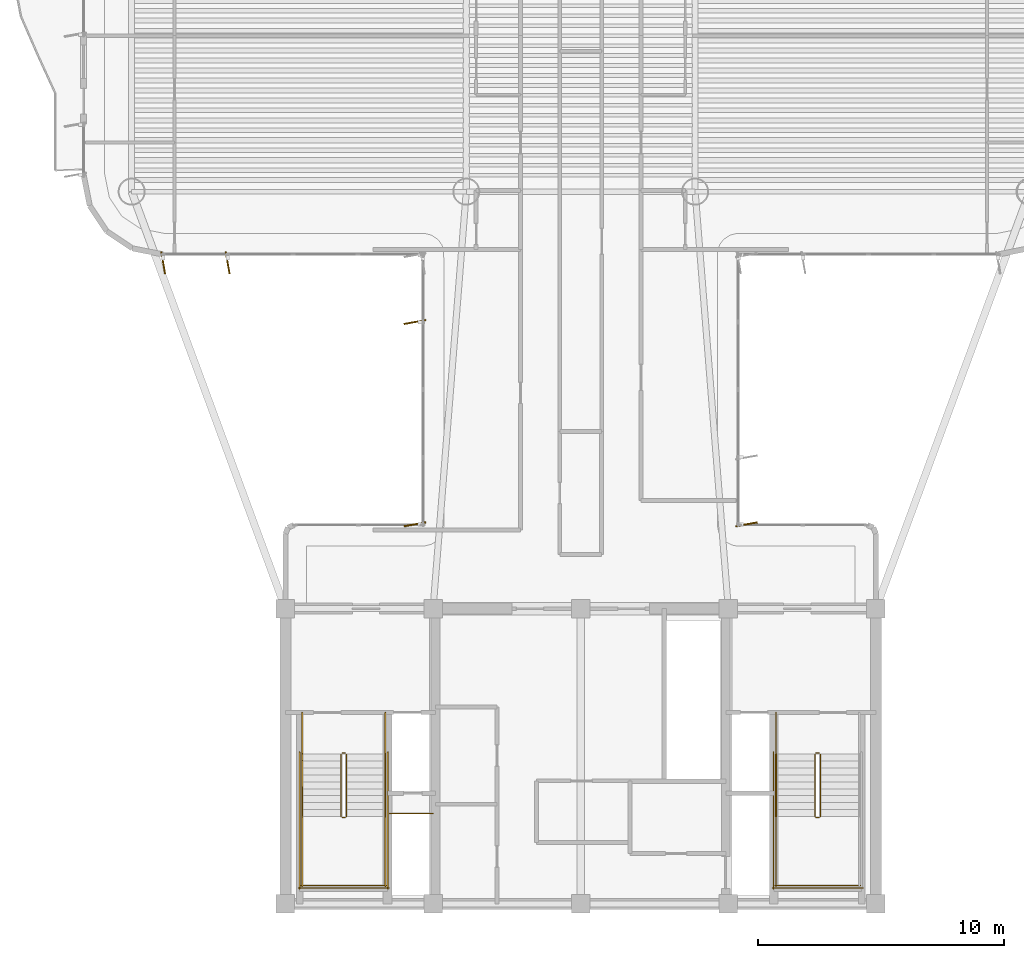
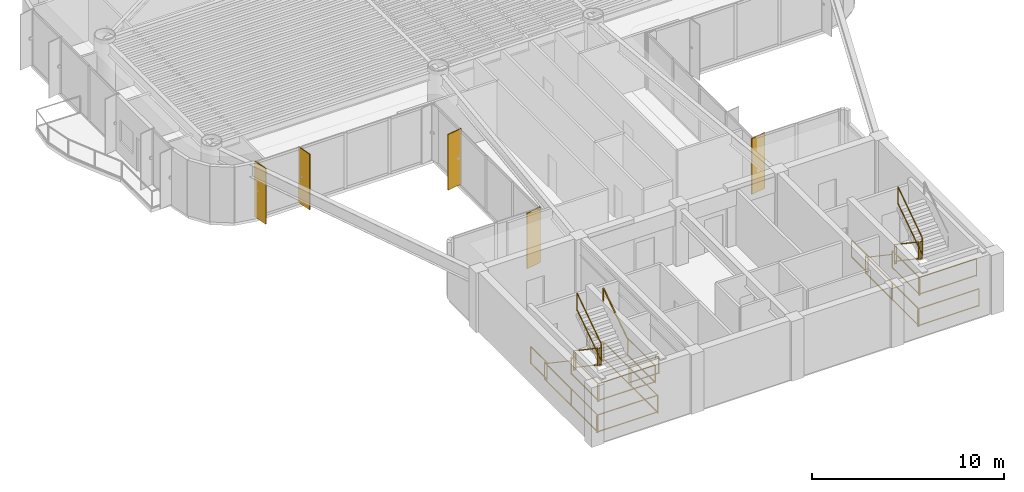
# One storey, part 14 of 15: 25 railings, 5 shading devices.
"""IFC4 building model written with IfcOpenShell, lengths in metres."""

from ifc_helpers import new_model, si_unit, direction, frame, origin, origin_2d, place, context, subcontext, project, spatial, rectangle, extrude, source, transform, mapped, material, layer, layer_set, material_profile, profile_set, type_object, element, save


model = new_model("IFC4")

# Units and contexts
model_context = context("Model", 3, precision=1e-05, world=origin(), true_north=direction((0.0, 1.0)))
body_context = subcontext(model_context, "Body", "Model", "MODEL_VIEW")
ifc_project = project(units=[si_unit("LENGTHUNIT", "METRE"), si_unit("AREAUNIT", "SQUARE_METRE"), si_unit("VOLUMEUNIT", "CUBIC_METRE"), si_unit("PLANEANGLEUNIT", "RADIAN"), si_unit("MASSUNIT", "GRAM", prefix="KILO")], contexts=[model_context])

# Site, building, storey
site_placement = place(None, origin())
site = spatial("IfcSite", under=ifc_project, at=site_placement, CompositionType="ELEMENT")
building_placement = place(site_placement, origin())
building = spatial("IfcBuilding", under=site, at=building_placement, Name="Brelvock Crest Care Tower", CompositionType="ELEMENT")
storey_placement = place(building_placement, frame((0.0, 0.0, 163.97998046875)))
storey = spatial("IfcBuildingStorey", under=building, at=storey_placement, Name="L41", CompositionType="ELEMENT", Elevation=163.97998046875)

# Railings
ifc_material_1 = material(Name="Steel Grade 350", Category="steel")
ifc_layer_1 = layer(ifc_material_1, 0.050048828125, Name="RL-STG1")
ifc_layer_set_1 = layer_set([ifc_layer_1], Name="Steel Grade 350")
railing_type_1 = type_object("IfcRailingType", Name="RL-STG1", PredefinedType="GUARDRAIL", material=ifc_layer_set_1)
railing_1_placement = place(storey_placement, frame((26.260009765625, 12.080078125, 0.18896484375)))
element("IfcRailing", 1, at=railing_1_placement, inside=storey, type_object=railing_type_1, Name="L41 ST-1 stair guard 1", PredefinedType="GUARDRAIL", context=body_context, shape_type="SweptSolid", body=[
    extrude(rectangle(XDim=0.048095703125, YDim=0.048095703125, at=origin_2d()), frame((0.0, -0.001708984375, 1.116943359375), z_axis=(0.0, -0.82882447046, 0.559508710537), x_axis=(1.0, 0.0, 0.0)), (0.0, 0.0, 1.0), 3.036376953125),
    extrude(rectangle(XDim=0.048095703125, YDim=0.048095703125, at=origin_2d()), frame((0.0, -0.001708984375, 0.05615234375), z_axis=(0.0, -0.82882447046, 0.559508710537), x_axis=(1.0, 0.0, 0.0)), (0.0, 0.0, 1.0), 3.036376953125),
    extrude(rectangle(XDim=0.0419921875, YDim=0.0419921875, at=origin_2d()), origin(), (0.0, 0.0, 1.0), 1.08984375),
    extrude(rectangle(XDim=0.0419921875, YDim=0.0419921875, at=origin_2d()), frame((0.0, -2.52001953125, 1.701171875)), (0.0, 0.0, 1.0), 1.08984375),
])
railing_2_placement = place(storey_placement, frame((26.31005859375, 9.510009765625, 1.89013671875)))
element("IfcRailing", 2, at=railing_2_placement, inside=storey, type_object=railing_type_1, Name="L41 ST-1 stair guard 2", PredefinedType="GUARDRAIL", context=body_context, shape_type="SweptSolid", body=[
    extrude(rectangle(XDim=0.048095703125, YDim=0.048095703125, at=origin_2d()), frame((0.001953125, 0.0, 1.11572265625), z_axis=(1.0, 0.0, 0.0), x_axis=(0.0, 1.0, 0.0)), (0.0, 0.0, 1.0), 0.115966796875),
    extrude(rectangle(XDim=0.048095703125, YDim=0.048095703125, at=origin_2d()), frame((0.001953125, 0.0, 0.054931640625), z_axis=(1.0, 0.0, 0.0), x_axis=(0.0, 1.0, 0.0)), (0.0, 0.0, 1.0), 0.115966796875),
    extrude(rectangle(XDim=0.0419921875, YDim=0.0419921875, at=origin_2d()), origin(), (0.0, 0.0, 1.0), 1.08984375),
    extrude(rectangle(XDim=0.0419921875, YDim=0.0419921875, at=origin_2d()), frame((0.119873046875, 0.0, 0.0)), (0.0, 0.0, 1.0), 1.08984375),
])
for number, where, name in (
    (3, (24.679931640625, 9.56005859375, 1.89013671875), "L41 ST-1 stair guard 3"),
    (4, (28.06005859375, 9.56005859375, 1.89013671875), "L41 ST-1 stair guard 4"),
):
    element("IfcRailing", number, at=place(storey_placement, frame(where)), inside=storey, type_object=railing_type_1, Name=name, PredefinedType="GUARDRAIL", context=body_context, shape_type="SweptSolid", body=[
        extrude(rectangle(XDim=0.048095703125, YDim=0.048095703125, at=origin_2d()), frame((0.0, -0.001953125, 1.11572265625), z_axis=(0.0, -1.0, 0.0), x_axis=(1.0, 0.0, 0.0)), (0.0, 0.0, 1.0), 2.856201171875),
        extrude(rectangle(XDim=0.048095703125, YDim=0.048095703125, at=origin_2d()), frame((0.0, -0.001953125, 0.054931640625), z_axis=(0.0, -1.0, 0.0), x_axis=(1.0, 0.0, 0.0)), (0.0, 0.0, 1.0), 2.856201171875),
        extrude(rectangle(XDim=0.0419921875, YDim=0.0419921875, at=origin_2d()), origin(), (0.0, 0.0, 1.0), 1.08984375),
        extrude(rectangle(XDim=0.0419921875, YDim=0.0419921875, at=origin_2d()), frame((0.0, -2.860107421875, 0.0)), (0.0, 0.0, 1.0), 1.08984375),
    ])
railing_3_placement = place(storey_placement, frame((24.6298828125, 6.75, 1.89013671875)))
element("IfcRailing", 5, at=railing_3_placement, inside=storey, type_object=railing_type_1, Name="L41 ST-1 stair guard 5", PredefinedType="GUARDRAIL", context=body_context, shape_type="SweptSolid", body=[
    extrude(rectangle(XDim=0.048095703125, YDim=0.048095703125, at=origin_2d()), frame((0.001953125, 0.0, 1.11572265625), z_axis=(1.0, 0.0, 0.0), x_axis=(0.0, 1.0, 0.0)), (0.0, 0.0, 1.0), 3.476318359375),
    extrude(rectangle(XDim=0.048095703125, YDim=0.048095703125, at=origin_2d()), frame((0.001953125, 0.0, 0.054931640625), z_axis=(1.0, 0.0, 0.0), x_axis=(0.0, 1.0, 0.0)), (0.0, 0.0, 1.0), 3.476318359375),
    extrude(rectangle(XDim=0.0419921875, YDim=0.0419921875, at=origin_2d()), origin(), (0.0, 0.0, 1.0), 1.08984375),
    extrude(rectangle(XDim=0.0419921875, YDim=0.0419921875, at=origin_2d()), frame((3.480224609375, 0.0, 0.0)), (0.0, 0.0, 1.0), 1.08984375),
])
railing_4_placement = place(storey_placement, frame((26.47998046875, 9.56005859375, 2.0791015625)))
element("IfcRailing", 6, at=railing_4_placement, inside=storey, type_object=railing_type_1, Name="L41 ST-1 stair guard 6", PredefinedType="GUARDRAIL", context=body_context, shape_type="SweptSolid", body=[
    extrude(rectangle(XDim=0.048095703125, YDim=0.048095703125, at=origin_2d()), frame((0.0, 0.001708984375, 1.116943359375), z_axis=(0.0, 0.828861706735, 0.559453546873), x_axis=(-1.0, 0.0, 0.0)), (0.0, 0.0, 1.0), 3.036376953125),
    extrude(rectangle(XDim=0.048095703125, YDim=0.048095703125, at=origin_2d()), frame((0.0, 0.001708984375, 0.05615234375), z_axis=(0.0, 0.828861706735, 0.559453546873), x_axis=(-1.0, 0.0, 0.0)), (0.0, 0.0, 1.0), 3.036376953125),
    extrude(rectangle(XDim=0.0419921875, YDim=0.0419921875, at=origin_2d()), origin(), (0.0, 0.0, 1.0), 1.08984375),
    extrude(rectangle(XDim=0.0419921875, YDim=0.0419921875, at=origin_2d()), frame((0.0, 2.52001953125, 1.700927734375)), (0.0, 0.0, 1.0), 1.08984375),
])
railing_5_placement = place(storey_placement, frame((26.31005859375, 12.1298828125, 0.0)))
element("IfcRailing", 7, at=railing_5_placement, inside=storey, type_object=railing_type_1, Name="L41 ST-1 stair guard 7", PredefinedType="GUARDRAIL", context=body_context, shape_type="SweptSolid", body=[
    extrude(rectangle(XDim=0.048095703125, YDim=0.048095703125, at=origin_2d()), frame((0.001953125, 0.0, 1.11572265625), z_axis=(1.0, 0.0, 0.0), x_axis=(0.0, 1.0, 0.0)), (0.0, 0.0, 1.0), 0.115966796875),
    extrude(rectangle(XDim=0.048095703125, YDim=0.048095703125, at=origin_2d()), frame((0.001953125, 0.0, 0.054931640625), z_axis=(1.0, 0.0, 0.0), x_axis=(0.0, 1.0, 0.0)), (0.0, 0.0, 1.0), 0.115966796875),
    extrude(rectangle(XDim=0.0419921875, YDim=0.0419921875, at=origin_2d()), origin(), (0.0, 0.0, 1.0), 1.08984375),
    extrude(rectangle(XDim=0.0419921875, YDim=0.0419921875, at=origin_2d()), frame((0.119873046875, 0.0, 0.0)), (0.0, 0.0, 1.0), 1.08984375),
])
for number, where, name in (
    (8, (24.679931640625, 13.780029296875, 0.0), "L41 ST-1 stair guard 8"),
    (9, (28.06005859375, 13.780029296875, 0.0), "L41 ST-1 stair guard 9"),
):
    element("IfcRailing", number, at=place(storey_placement, frame(where)), inside=storey, type_object=railing_type_1, Name=name, PredefinedType="GUARDRAIL", context=body_context, shape_type="SweptSolid", body=[
        extrude(rectangle(XDim=0.048095703125, YDim=0.048095703125, at=origin_2d()), frame((0.0, -0.001953125, 1.11572265625), z_axis=(0.0, -1.0, 0.0), x_axis=(1.0, 0.0, 0.0)), (0.0, 0.0, 1.0), 1.696044921875),
        extrude(rectangle(XDim=0.048095703125, YDim=0.048095703125, at=origin_2d()), frame((0.0, -0.001953125, 0.054931640625), z_axis=(0.0, -1.0, 0.0), x_axis=(1.0, 0.0, 0.0)), (0.0, 0.0, 1.0), 1.696044921875),
        extrude(rectangle(XDim=0.0419921875, YDim=0.0419921875, at=origin_2d()), origin(), (0.0, 0.0, 1.0), 1.08984375),
        extrude(rectangle(XDim=0.0419921875, YDim=0.0419921875, at=origin_2d()), frame((0.0, -1.699951171875, 0.0)), (0.0, 0.0, 1.0), 1.08984375),
    ])
for number, where, name in (
    (10, (24.580078125, 12.179931640625, 0.0), "L41 ST-1 stair guard 10"),
    (11, (28.159912109375, 12.179931640625, 0.0), "L41 ST-1 stair guard 11"),
):
    element("IfcRailing", number, at=place(storey_placement, frame(where)), inside=storey, type_object=railing_type_1, Name=name, PredefinedType="GUARDRAIL", context=body_context, shape_type="SweptSolid", body=[
        extrude(rectangle(XDim=0.048095703125, YDim=0.048095703125, at=origin_2d()), frame((0.0, -0.001953125, 1.11572265625), z_axis=(0.0, -1.0, 0.0), x_axis=(1.0, 0.0, 0.0)), (0.0, 0.0, 1.0), 5.575927734375),
        extrude(rectangle(XDim=0.048095703125, YDim=0.048095703125, at=origin_2d()), frame((0.0, -0.001953125, 0.054931640625), z_axis=(0.0, -1.0, 0.0), x_axis=(1.0, 0.0, 0.0)), (0.0, 0.0, 1.0), 5.575927734375),
        extrude(rectangle(XDim=0.0419921875, YDim=0.0419921875, at=origin_2d()), origin(), (0.0, 0.0, 1.0), 1.08984375),
        extrude(rectangle(XDim=0.0419921875, YDim=0.0419921875, at=origin_2d()), frame((0.0, -2.7900390625, 0.0)), (0.0, 0.0, 1.0), 1.08984375),
        extrude(rectangle(XDim=0.0419921875, YDim=0.0419921875, at=origin_2d()), frame((0.0, -5.579833984375, 0.0)), (0.0, 0.0, 1.0), 1.08984375),
    ])
railing_6_placement = place(storey_placement, frame((24.530029296875, 6.64990234375, 0.0)))
element("IfcRailing", 12, at=railing_6_placement, inside=storey, type_object=railing_type_1, Name="L41 ST-1 stair guard 12", PredefinedType="GUARDRAIL", context=body_context, shape_type="SweptSolid", body=[
    extrude(rectangle(XDim=0.048095703125, YDim=0.048095703125, at=origin_2d()), frame((0.001953125, 0.0, 1.11572265625), z_axis=(1.0, 0.0, 0.0), x_axis=(0.0, 1.0, 0.0)), (0.0, 0.0, 1.0), 3.676025390625),
    extrude(rectangle(XDim=0.048095703125, YDim=0.048095703125, at=origin_2d()), frame((0.001953125, 0.0, 0.054931640625), z_axis=(1.0, 0.0, 0.0), x_axis=(0.0, 1.0, 0.0)), (0.0, 0.0, 1.0), 3.676025390625),
    extrude(rectangle(XDim=0.0419921875, YDim=0.0419921875, at=origin_2d()), origin(), (0.0, 0.0, 1.0), 1.08984375),
    extrude(rectangle(XDim=0.0419921875, YDim=0.0419921875, at=origin_2d()), frame((3.679931640625, 0.0, 0.0)), (0.0, 0.0, 1.0), 1.08984375),
])
railing_7_placement = place(storey_placement, frame((45.52001953125, 12.080078125, 0.18896484375)))
element("IfcRailing", 13, at=railing_7_placement, inside=storey, type_object=railing_type_1, Name="L41 ST-2 stair guard 1", PredefinedType="GUARDRAIL", context=body_context, shape_type="SweptSolid", body=[
    extrude(rectangle(XDim=0.048095703125, YDim=0.048095703125, at=origin_2d()), frame((0.0, -0.001708984375, 1.116943359375), z_axis=(0.0, -0.82882447046, 0.559508710537), x_axis=(1.0, 0.0, 0.0)), (0.0, 0.0, 1.0), 3.036376953125),
    extrude(rectangle(XDim=0.048095703125, YDim=0.048095703125, at=origin_2d()), frame((0.0, -0.001708984375, 0.05615234375), z_axis=(0.0, -0.82882447046, 0.559508710537), x_axis=(1.0, 0.0, 0.0)), (0.0, 0.0, 1.0), 3.036376953125),
    extrude(rectangle(XDim=0.0419921875, YDim=0.0419921875, at=origin_2d()), origin(), (0.0, 0.0, 1.0), 1.08984375),
    extrude(rectangle(XDim=0.0419921875, YDim=0.0419921875, at=origin_2d()), frame((0.0, -2.52001953125, 1.701171875)), (0.0, 0.0, 1.0), 1.08984375),
])
railing_8_placement = place(storey_placement, frame((45.570068359375, 9.510009765625, 1.89013671875)))
element("IfcRailing", 14, at=railing_8_placement, inside=storey, type_object=railing_type_1, Name="L41 ST-2 stair guard 2", PredefinedType="GUARDRAIL", context=body_context, shape_type="SweptSolid", body=[
    extrude(rectangle(XDim=0.048095703125, YDim=0.048095703125, at=origin_2d()), frame((0.001953125, 0.0, 1.11572265625), z_axis=(1.0, 0.0, 0.0), x_axis=(0.0, 1.0, 0.0)), (0.0, 0.0, 1.0), 0.115966796875),
    extrude(rectangle(XDim=0.048095703125, YDim=0.048095703125, at=origin_2d()), frame((0.001953125, 0.0, 0.054931640625), z_axis=(1.0, 0.0, 0.0), x_axis=(0.0, 1.0, 0.0)), (0.0, 0.0, 1.0), 0.115966796875),
    extrude(rectangle(XDim=0.0419921875, YDim=0.0419921875, at=origin_2d()), origin(), (0.0, 0.0, 1.0), 1.08984375),
    extrude(rectangle(XDim=0.0419921875, YDim=0.0419921875, at=origin_2d()), frame((0.119873046875, 0.0, 0.0)), (0.0, 0.0, 1.0), 1.08984375),
])
railing_9_placement = place(storey_placement, frame((43.93994140625, 9.56005859375, 1.89013671875)))
element("IfcRailing", 15, at=railing_9_placement, inside=storey, type_object=railing_type_1, Name="L41 ST-2 stair guard 3", PredefinedType="GUARDRAIL", context=body_context, shape_type="SweptSolid", body=[
    extrude(rectangle(XDim=0.048095703125, YDim=0.048095703125, at=origin_2d()), frame((0.0, -0.001953125, 1.11572265625), z_axis=(0.0, -1.0, 0.0), x_axis=(1.0, 0.0, 0.0)), (0.0, 0.0, 1.0), 2.856201171875),
    extrude(rectangle(XDim=0.048095703125, YDim=0.048095703125, at=origin_2d()), frame((0.0, -0.001953125, 0.054931640625), z_axis=(0.0, -1.0, 0.0), x_axis=(1.0, 0.0, 0.0)), (0.0, 0.0, 1.0), 2.856201171875),
    extrude(rectangle(XDim=0.0419921875, YDim=0.0419921875, at=origin_2d()), origin(), (0.0, 0.0, 1.0), 1.08984375),
    extrude(rectangle(XDim=0.0419921875, YDim=0.0419921875, at=origin_2d()), frame((0.0, -2.860107421875, 0.0)), (0.0, 0.0, 1.0), 1.08984375),
])
railing_10_placement = place(storey_placement, frame((43.889892578125, 6.75, 1.89013671875)))
element("IfcRailing", 16, at=railing_10_placement, inside=storey, type_object=railing_type_1, Name="L41 ST-2 stair guard 5", PredefinedType="GUARDRAIL", context=body_context, shape_type="SweptSolid", body=[
    extrude(rectangle(XDim=0.048095703125, YDim=0.048095703125, at=origin_2d()), frame((0.001953125, 0.0, 1.11572265625), z_axis=(1.0, 0.0, 0.0), x_axis=(0.0, 1.0, 0.0)), (0.0, 0.0, 1.0), 3.476318359375),
    extrude(rectangle(XDim=0.048095703125, YDim=0.048095703125, at=origin_2d()), frame((0.001953125, 0.0, 0.054931640625), z_axis=(1.0, 0.0, 0.0), x_axis=(0.0, 1.0, 0.0)), (0.0, 0.0, 1.0), 3.476318359375),
    extrude(rectangle(XDim=0.0419921875, YDim=0.0419921875, at=origin_2d()), origin(), (0.0, 0.0, 1.0), 1.08984375),
    extrude(rectangle(XDim=0.0419921875, YDim=0.0419921875, at=origin_2d()), frame((3.480224609375, 0.0, 0.0)), (0.0, 0.0, 1.0), 1.08984375),
])
railing_11_placement = place(storey_placement, frame((45.739990234375, 9.56005859375, 2.0791015625)))
element("IfcRailing", 17, at=railing_11_placement, inside=storey, type_object=railing_type_1, Name="L41 ST-2 stair guard 6", PredefinedType="GUARDRAIL", context=body_context, shape_type="SweptSolid", body=[
    extrude(rectangle(XDim=0.048095703125, YDim=0.048095703125, at=origin_2d()), frame((0.0, 0.001708984375, 1.116943359375), z_axis=(0.0, 0.828861706735, 0.559453546873), x_axis=(-1.0, 0.0, 0.0)), (0.0, 0.0, 1.0), 3.036376953125),
    extrude(rectangle(XDim=0.048095703125, YDim=0.048095703125, at=origin_2d()), frame((0.0, 0.001708984375, 0.05615234375), z_axis=(0.0, 0.828861706735, 0.559453546873), x_axis=(-1.0, 0.0, 0.0)), (0.0, 0.0, 1.0), 3.036376953125),
    extrude(rectangle(XDim=0.0419921875, YDim=0.0419921875, at=origin_2d()), origin(), (0.0, 0.0, 1.0), 1.08984375),
    extrude(rectangle(XDim=0.0419921875, YDim=0.0419921875, at=origin_2d()), frame((0.0, 2.52001953125, 1.700927734375)), (0.0, 0.0, 1.0), 1.08984375),
])
railing_12_placement = place(storey_placement, frame((45.570068359375, 12.1298828125, 0.0)))
element("IfcRailing", 18, at=railing_12_placement, inside=storey, type_object=railing_type_1, Name="L41 ST-2 stair guard 7", PredefinedType="GUARDRAIL", context=body_context, shape_type="SweptSolid", body=[
    extrude(rectangle(XDim=0.048095703125, YDim=0.048095703125, at=origin_2d()), frame((0.001953125, 0.0, 1.11572265625), z_axis=(1.0, 0.0, 0.0), x_axis=(0.0, 1.0, 0.0)), (0.0, 0.0, 1.0), 0.115966796875),
    extrude(rectangle(XDim=0.048095703125, YDim=0.048095703125, at=origin_2d()), frame((0.001953125, 0.0, 0.054931640625), z_axis=(1.0, 0.0, 0.0), x_axis=(0.0, 1.0, 0.0)), (0.0, 0.0, 1.0), 0.115966796875),
    extrude(rectangle(XDim=0.0419921875, YDim=0.0419921875, at=origin_2d()), origin(), (0.0, 0.0, 1.0), 1.08984375),
    extrude(rectangle(XDim=0.0419921875, YDim=0.0419921875, at=origin_2d()), frame((0.119873046875, 0.0, 0.0)), (0.0, 0.0, 1.0), 1.08984375),
])
railing_13_placement = place(storey_placement, frame((43.93994140625, 13.780029296875, 0.0)))
element("IfcRailing", 19, at=railing_13_placement, inside=storey, type_object=railing_type_1, Name="L41 ST-2 stair guard 8", PredefinedType="GUARDRAIL", context=body_context, shape_type="SweptSolid", body=[
    extrude(rectangle(XDim=0.048095703125, YDim=0.048095703125, at=origin_2d()), frame((0.0, -0.001953125, 1.11572265625), z_axis=(0.0, -1.0, 0.0), x_axis=(1.0, 0.0, 0.0)), (0.0, 0.0, 1.0), 1.696044921875),
    extrude(rectangle(XDim=0.048095703125, YDim=0.048095703125, at=origin_2d()), frame((0.0, -0.001953125, 0.054931640625), z_axis=(0.0, -1.0, 0.0), x_axis=(1.0, 0.0, 0.0)), (0.0, 0.0, 1.0), 1.696044921875),
    extrude(rectangle(XDim=0.0419921875, YDim=0.0419921875, at=origin_2d()), origin(), (0.0, 0.0, 1.0), 1.08984375),
    extrude(rectangle(XDim=0.0419921875, YDim=0.0419921875, at=origin_2d()), frame((0.0, -1.699951171875, 0.0)), (0.0, 0.0, 1.0), 1.08984375),
])
railing_14_placement = place(storey_placement, frame((43.840087890625, 12.179931640625, 0.0)))
element("IfcRailing", 20, at=railing_14_placement, inside=storey, type_object=railing_type_1, Name="L41 ST-2 stair guard 10", PredefinedType="GUARDRAIL", context=body_context, shape_type="SweptSolid", body=[
    extrude(rectangle(XDim=0.048095703125, YDim=0.048095703125, at=origin_2d()), frame((0.0, -0.001953125, 1.11572265625), z_axis=(0.0, -1.0, 0.0), x_axis=(1.0, 0.0, 0.0)), (0.0, 0.0, 1.0), 5.575927734375),
    extrude(rectangle(XDim=0.048095703125, YDim=0.048095703125, at=origin_2d()), frame((0.0, -0.001953125, 0.054931640625), z_axis=(0.0, -1.0, 0.0), x_axis=(1.0, 0.0, 0.0)), (0.0, 0.0, 1.0), 5.575927734375),
    extrude(rectangle(XDim=0.0419921875, YDim=0.0419921875, at=origin_2d()), origin(), (0.0, 0.0, 1.0), 1.08984375),
    extrude(rectangle(XDim=0.0419921875, YDim=0.0419921875, at=origin_2d()), frame((0.0, -2.7900390625, 0.0)), (0.0, 0.0, 1.0), 1.08984375),
    extrude(rectangle(XDim=0.0419921875, YDim=0.0419921875, at=origin_2d()), frame((0.0, -5.579833984375, 0.0)), (0.0, 0.0, 1.0), 1.08984375),
])
railing_15_placement = place(storey_placement, frame((43.7900390625, 6.64990234375, 0.0)))
element("IfcRailing", 21, at=railing_15_placement, inside=storey, type_object=railing_type_1, Name="L41 ST-2 stair guard 12", PredefinedType="GUARDRAIL", context=body_context, shape_type="SweptSolid", body=[
    extrude(rectangle(XDim=0.048095703125, YDim=0.048095703125, at=origin_2d()), frame((0.001953125, 0.0, 1.11572265625), z_axis=(1.0, 0.0, 0.0), x_axis=(0.0, 1.0, 0.0)), (0.0, 0.0, 1.0), 3.676025390625),
    extrude(rectangle(XDim=0.048095703125, YDim=0.048095703125, at=origin_2d()), frame((0.001953125, 0.0, 0.054931640625), z_axis=(1.0, 0.0, 0.0), x_axis=(0.0, 1.0, 0.0)), (0.0, 0.0, 1.0), 3.676025390625),
    extrude(rectangle(XDim=0.0419921875, YDim=0.0419921875, at=origin_2d()), origin(), (0.0, 0.0, 1.0), 1.08984375),
    extrude(rectangle(XDim=0.0419921875, YDim=0.0419921875, at=origin_2d()), frame((3.679931640625, 0.0, 0.0)), (0.0, 0.0, 1.0), 1.08984375),
])
railing_16_placement = place(storey_placement, frame((28.219970703125, 9.679931640625, 0.0)))
element("IfcRailing", 22, at=railing_16_placement, inside=storey, type_object=railing_type_1, Name="L41 Fire Riser Threshold Guard", PredefinedType="GUARDRAIL", context=body_context, shape_type="SweptSolid", body=[
    extrude(rectangle(XDim=0.048095703125, YDim=0.048095703125, at=origin_2d()), frame((0.001953125, 0.0, 1.11572265625), z_axis=(1.0, 0.0, 0.0), x_axis=(0.0, 1.0, 0.0)), (0.0, 0.0, 1.0), 1.776123046875),
    extrude(rectangle(XDim=0.048095703125, YDim=0.048095703125, at=origin_2d()), frame((0.001953125, 0.0, 0.054931640625), z_axis=(1.0, 0.0, 0.0), x_axis=(0.0, 1.0, 0.0)), (0.0, 0.0, 1.0), 1.776123046875),
    extrude(rectangle(XDim=0.0419921875, YDim=0.0419921875, at=origin_2d()), origin(), (0.0, 0.0, 1.0), 1.08984375),
    extrude(rectangle(XDim=0.0419921875, YDim=0.0419921875, at=origin_2d()), frame((1.780029296875, 0.0, 0.0)), (0.0, 0.0, 1.0), 1.08984375),
])
ifc_layer_2 = layer(ifc_material_1, 0.048095703125, Name="RL-STH1")
ifc_layer_set_2 = layer_set([ifc_layer_2], Name="Steel Grade 350")
railing_type_2 = type_object("IfcRailingType", Name="RL-STH1", PredefinedType="HANDRAIL", material=ifc_layer_set_2)
railing_17_placement = place(storey_placement, frame((24.679931640625, 12.080078125, 0.18896484375)))
element("IfcRailing", 23, at=railing_17_placement, inside=storey, type_object=railing_type_2, Name="L41 ST-1 stair handrail 1", PredefinedType="HANDRAIL", context=body_context, shape_type="SweptSolid", body=[
    extrude(rectangle(XDim=0.048095703125, YDim=0.048095703125, at=origin_2d()), frame((0.0, -0.001708984375, 0.876953125), z_axis=(0.0, -0.82882447046, 0.559508710537), x_axis=(1.0, 0.0, 0.0)), (0.0, 0.0, 1.0), 3.036376953125),
    extrude(rectangle(XDim=0.0419921875, YDim=0.0419921875, at=origin_2d()), origin(), (0.0, 0.0, 1.0), 0.849853515625),
    extrude(rectangle(XDim=0.0419921875, YDim=0.0419921875, at=origin_2d()), frame((0.0, -2.52001953125, 1.701171875)), (0.0, 0.0, 1.0), 0.849853515625),
])
railing_18_placement = place(storey_placement, frame((28.06005859375, 9.56005859375, 2.0791015625)))
element("IfcRailing", 24, at=railing_18_placement, inside=storey, type_object=railing_type_2, Name="L41 ST-1 stair handrail 2", PredefinedType="HANDRAIL", context=body_context, shape_type="SweptSolid", body=[
    extrude(rectangle(XDim=0.048095703125, YDim=0.048095703125, at=origin_2d()), frame((0.0, 0.001708984375, 0.876953125), z_axis=(0.0, 0.828861706735, 0.559453546873), x_axis=(-1.0, 0.0, 0.0)), (0.0, 0.0, 1.0), 3.036376953125),
    extrude(rectangle(XDim=0.0419921875, YDim=0.0419921875, at=origin_2d()), origin(), (0.0, 0.0, 1.0), 0.849853515625),
    extrude(rectangle(XDim=0.0419921875, YDim=0.0419921875, at=origin_2d()), frame((0.0, 2.52001953125, 1.700927734375)), (0.0, 0.0, 1.0), 0.849853515625),
])
railing_19_placement = place(storey_placement, frame((43.93994140625, 12.080078125, 0.18896484375)))
element("IfcRailing", 25, at=railing_19_placement, inside=storey, type_object=railing_type_2, Name="L41 ST-2 stair handrail 1", PredefinedType="HANDRAIL", context=body_context, shape_type="SweptSolid", body=[
    extrude(rectangle(XDim=0.048095703125, YDim=0.048095703125, at=origin_2d()), frame((0.0, -0.001708984375, 0.876953125), z_axis=(0.0, -0.82882447046, 0.559508710537), x_axis=(1.0, 0.0, 0.0)), (0.0, 0.0, 1.0), 3.036376953125),
    extrude(rectangle(XDim=0.0419921875, YDim=0.0419921875, at=origin_2d()), origin(), (0.0, 0.0, 1.0), 0.849853515625),
    extrude(rectangle(XDim=0.0419921875, YDim=0.0419921875, at=origin_2d()), frame((0.0, -2.52001953125, 1.701171875)), (0.0, 0.0, 1.0), 0.849853515625),
])

# Shading devices
ifc_material_2 = material(Name="Aluminium 6063-T6", Category="aluminium")
ifc_material_profile = material_profile(ifc_material_2, rectangle(XDim=0.054931640625, YDim=0.89990234375, at=origin_2d()), Name="FIN55x900")
ifc_profile_set = profile_set([ifc_material_profile], Name="Aluminium 6063-T6")
shading_device_type = type_object("IfcShadingDeviceType", Name="SHD-FIN1", PredefinedType="USERDEFINED", material=ifc_profile_set)
shared_shape = source(origin(), body_context, "Body", "SweptSolid", [
    extrude(rectangle(XDim=0.054931640625, YDim=0.89990234375, at=origin_2d()), origin(), (0.0, 0.0, 1.0), 3.530029296875),
])
for number, where, z_axis, x_axis, name in (
    (26, (29.260009765625, 21.429931640625, 0.0), (0.0, 0.0, 1.0), (-0.173648177667, 0.984807753012, 0.0), "L41 Vertical Sunshade Fin E11-01"),
    (27, (29.260009765625, 29.64990234375, 0.0), (0.0, 0.0, 1.0), (-0.173648177667, 0.984807753012, 0.0), "L41 Vertical Sunshade Fin E11-04"),
    (28, (21.64990234375, 32.06005859375, 0.0), (0.0, 0.0, 1.0), (-0.984807753012, -0.173648177667, 0.0), "L41 Vertical Sunshade Fin E12-04"),
    (29, (19.030029296875, 32.06005859375, 0.0), (0.0, 0.0, 1.0), (-0.984807753012, -0.173648177667, 0.0), "L41 Vertical Sunshade Fin E12-05"),
    (30, (42.739990234375, 21.429931640625, 0.0), (0.0, 0.0, 1.0), (0.173648177667, -0.984807753012, 0.0), "L41 Vertical Sunshade Fin E45-05"),
):
    element("IfcShadingDevice", number, at=place(storey_placement, frame(where, z_axis=z_axis, x_axis=x_axis)), inside=storey, type_object=shading_device_type, Name=name, ObjectType="FIN", PredefinedType="USERDEFINED", context=body_context, shape_type="MappedRepresentation", body=[
        mapped(shared_shape, transform((0.0, 0.0, 0.0), x_axis=(1.0, 0.0, 0.0), y_axis=(0.0, 1.0, 0.0), z_axis=(0.0, 0.0, 1.0), scale=1.0)),
    ])

save(model, "model.ifc")
